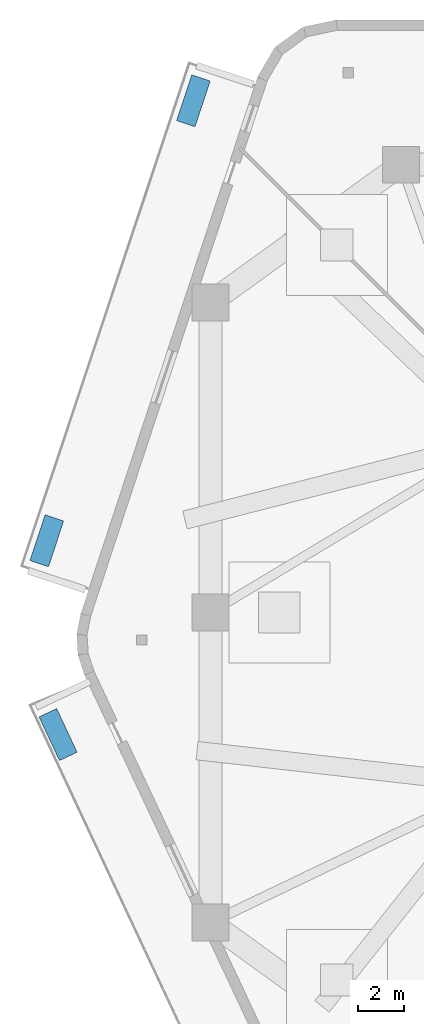
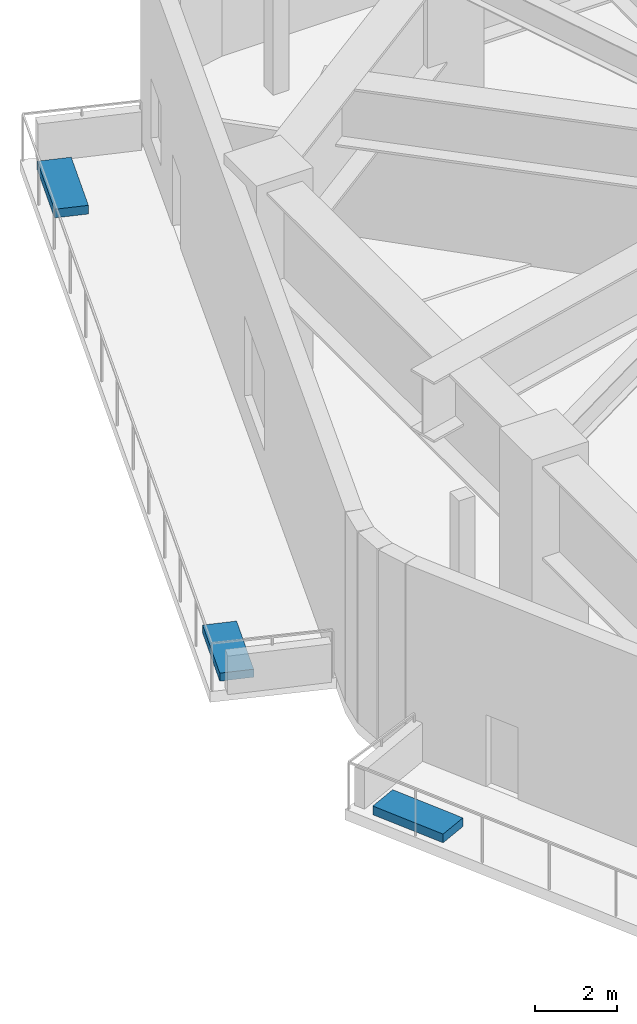
# One storey, part 11 of 14: 3 discrete accessories.
"""IFC4 building model written with IfcOpenShell, lengths in metres."""

from ifc_helpers import new_model, si_unit, direction, frame, origin, origin_2d, place, context, subcontext, project, spatial, rectangle, extrude, material, type_object, element, save


model = new_model("IFC4")

# Units and contexts
model_context = context("Model", 3, precision=1e-05, world=origin(), true_north=direction((0.0, 1.0)))
body_context = subcontext(model_context, "Body", "Model", "MODEL_VIEW")
ifc_project = project(units=[si_unit("LENGTHUNIT", "METRE"), si_unit("AREAUNIT", "SQUARE_METRE"), si_unit("VOLUMEUNIT", "CUBIC_METRE"), si_unit("PLANEANGLEUNIT", "RADIAN"), si_unit("MASSUNIT", "GRAM", prefix="KILO")], contexts=[model_context])

# Site, building, storey
site_placement = place(None, origin())
site = spatial("IfcSite", under=ifc_project, at=site_placement, CompositionType="ELEMENT")
building_placement = place(site_placement, origin())
building = spatial("IfcBuilding", under=site, at=building_placement, Name="Kilnhurst Terrace Hotel", CompositionType="ELEMENT")
storey_placement = place(building_placement, frame((0.0, 0.0, 28.199951171875)))
storey = spatial("IfcBuildingStorey", under=building, at=storey_placement, Name="L05", CompositionType="ELEMENT", Elevation=28.199951171875)

# Discrete accessories
ifc_material_1 = material(Name="Precast Concrete C40/50 Shrub Planter", Category="concrete")
discrete_accessory_type_1 = type_object("IfcDiscreteAccessoryType", Name="PLN-SHRUB-240", PredefinedType="USERDEFINED", material=ifc_material_1)
discrete_accessory_placement = place(storey_placement, frame((-28.626708984375, 3.127197265625, 0.0), z_axis=(0.0, 0.0, 1.0), x_axis=(-0.316129265802, -0.948716125774, 0.0)))
element("IfcDiscreteAccessory", 1, at=discrete_accessory_placement, inside=storey, type_object=discrete_accessory_type_1, Name="L05 Structural Tree Planter Box PLANTER TERR-1.2", ObjectType="PLANTER", PredefinedType="USERDEFINED", context=body_context, shape_type="SweptSolid", body=[
    extrude(rectangle(XDim=2.10009765625, YDim=0.85009765625, at=origin_2d()), origin(), (0.0, 0.0, 1.0), 0.239990234375),
])
ifc_material_2 = material(Name="Precast Concrete C40/50 Tree Planter", Category="concrete")
discrete_accessory_type_2 = type_object("IfcDiscreteAccessoryType", Name="PLN-TREE-260", PredefinedType="USERDEFINED", material=ifc_material_2)
for number, where, z_axis, x_axis, name in (
    (2, (-22.244140625, 22.28125, 0.0), (0.0, 0.0, 1.0), (-0.316129265802, -0.948716125774, 0.0), "L05 Structural Tree Planter Box PLANTER TERR-1.1"),
    (3, (-28.13623046875, -5.315185546875, 0.0), (0.0, 0.0, 1.0), (0.423962330854, -0.905679823126, 0.0), "L05 Structural Tree Planter Box PLANTER TERR-2.1"),
):
    element("IfcDiscreteAccessory", number, at=place(storey_placement, frame(where, z_axis=z_axis, x_axis=x_axis)), inside=storey, type_object=discrete_accessory_type_2, Name=name, ObjectType="PLANTER", PredefinedType="USERDEFINED", context=body_context, shape_type="SweptSolid", body=[
        extrude(rectangle(XDim=2.10009765625, YDim=0.85009765625, at=origin_2d()), origin(), (0.0, 0.0, 1.0), 0.260009765625),
    ])

save(model, "model.ifc")
